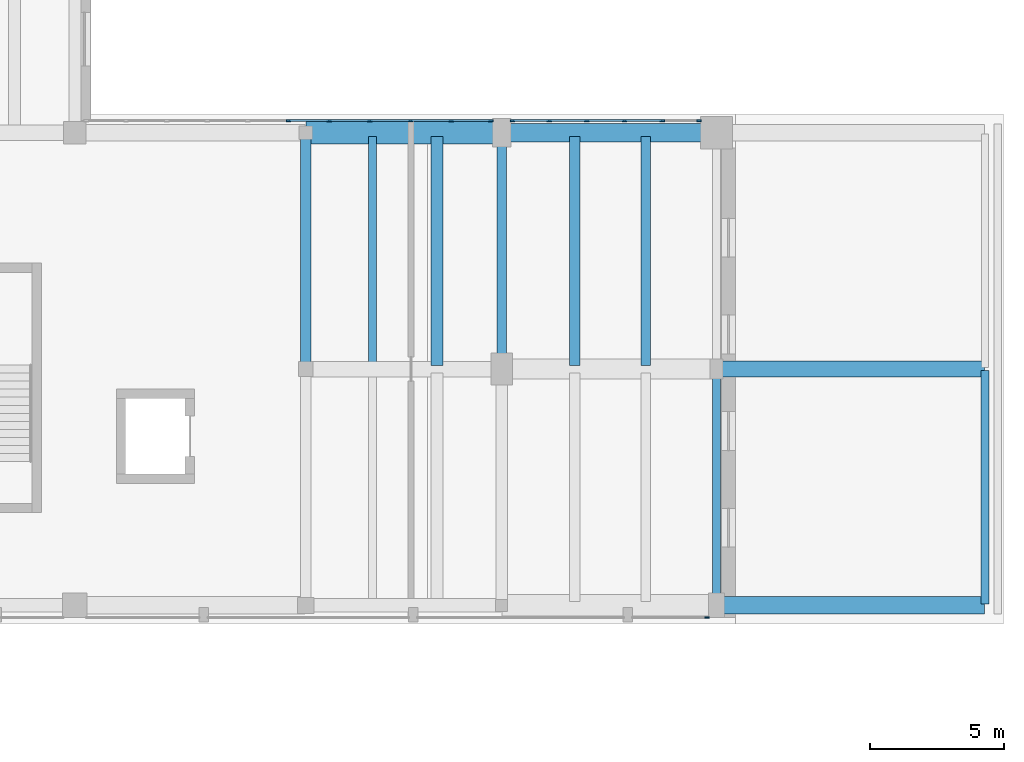
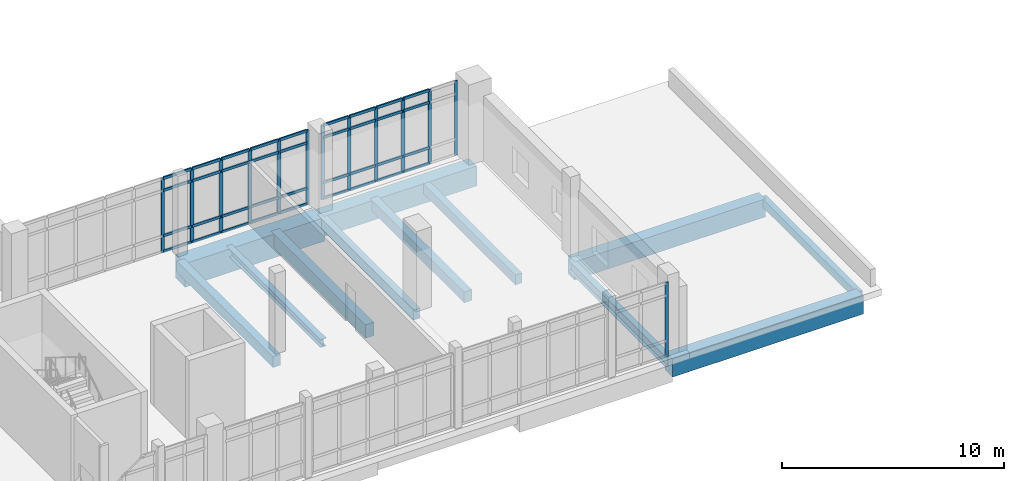
# One storey, part 44 of 89: 49 members, 12 beams, 3 elements without a shape of their own.
"""IFC4 building model written with IfcOpenShell, lengths in metres."""

from ifc_helpers import new_model, si_unit, direction, frame, origin, origin_2d, place, context, subcontext, project, spatial, rectangle, i_section, extrude, material, material_profile, profile_set, type_object, element, aggregate, save


model = new_model("IFC4")

# Units and contexts
model_context = context("Model", 3, precision=1e-05, world=origin(), true_north=direction((0.0, 1.0)))
body_context = subcontext(model_context, "Body", "Model", "MODEL_VIEW")
ifc_project = project(units=[si_unit("LENGTHUNIT", "METRE"), si_unit("AREAUNIT", "SQUARE_METRE"), si_unit("VOLUMEUNIT", "CUBIC_METRE"), si_unit("PLANEANGLEUNIT", "RADIAN"), si_unit("MASSUNIT", "GRAM", prefix="KILO")], contexts=[model_context])

# Site, building, storey
site_placement = place(None, origin())
site = spatial("IfcSite", under=ifc_project, at=site_placement, CompositionType="ELEMENT")
building_placement = place(site_placement, origin())
building = spatial("IfcBuilding", under=site, at=building_placement, Name="Soyqirgoq Riverine Aquarium", CompositionType="ELEMENT")
storey_placement = place(building_placement, frame((0.0, 0.0, 5.39990234375)))
storey = spatial("IfcBuildingStorey", under=building, at=storey_placement, Name="L02", CompositionType="ELEMENT", Elevation=5.39990234375)

# Beams
ifc_material_1 = material(Name="Concrete C40/50", Category="concrete")
ifc_material_profile_1 = material_profile(ifc_material_1, rectangle(XDim=0.39990234375, YDim=0.60009765625, at=origin_2d()), Name="RC 400x600")
ifc_profile_set_1 = profile_set([ifc_material_profile_1], Name="Concrete C40/50")
beam_type_1 = type_object("IfcBeamType", Name="Beam_RC_400x600", PredefinedType="JOIST", material=ifc_profile_set_1)
beam_1_placement = place(storey_placement, frame((138.0, 65.550048828125, -0.64990234375), z_axis=(0.0, 1.0, 0.0), x_axis=(-1.0, 0.0, 0.0)))
element("IfcBeam", 1, at=beam_1_placement, inside=storey, type_object=beam_type_1, Name="V7 L02 North-South Frame Beam 1322", PredefinedType="JOIST", context=body_context, shape_type="SweptSolid", body=[
    extrude(rectangle(XDim=0.39990234375, YDim=0.60009765625, at=origin_2d()), origin(), (0.0, 0.0, 1.0), 8.699951171875),
])
beam_2_placement = place(storey_placement, frame((148.02001953125, 65.639892578125, -0.64990234375), z_axis=(0.0, 1.0, 0.0), x_axis=(-1.0, 0.0, 0.0)))
element("IfcBeam", 2, at=beam_2_placement, inside=storey, type_object=beam_type_1, Name="V7 L02 Secondary Bay Joist 1347", PredefinedType="JOIST", context=body_context, shape_type="SweptSolid", body=[
    extrude(rectangle(XDim=0.39990234375, YDim=0.60009765625, at=origin_2d()), origin(), (0.0, 0.0, 1.0), 8.52001953125),
])
ifc_material_2 = material(Name="Concrete C40/50", Category="concrete")
ifc_material_profile_2 = material_profile(ifc_material_2, rectangle(XDim=0.449951171875, YDim=0.75, at=origin_2d()), Name="RC 450x750")
ifc_profile_set_2 = profile_set([ifc_material_profile_2], Name="Concrete C40/50")
beam_type_2 = type_object("IfcBeamType", Name="Beam_RC_450x750", PredefinedType="BEAM", material=ifc_profile_set_2)
beam_3_placement = place(storey_placement, frame((142.89111328125, 65.639892578125, -0.724853515625), z_axis=(0.0, 1.0, 0.0), x_axis=(-1.0, 0.0, 0.0)))
element("IfcBeam", 3, at=beam_3_placement, inside=storey, type_object=beam_type_2, Name="V7 L02 Secondary Bay Joist 1346", PredefinedType="BEAM", context=body_context, shape_type="SweptSolid", body=[
    extrude(rectangle(XDim=0.449951171875, YDim=0.75, at=origin_2d()), origin(), (0.0, 0.0, 1.0), 8.52001953125),
])

# Curtain wall, members
ifc_material_3 = material(Name="Anodised aluminium thermally broken gallery curtain wall", Category="aluminium")
curtain_wall_type = type_object("IfcCurtainWallType", Name="CW_Pavilion_Ribbon", PredefinedType="NOTDEFINED", material=ifc_material_3)
curtain_wall_1_placement = place(storey_placement, origin())
curtain_wall_1 = element("IfcCurtainWall", 4, at=curtain_wall_1_placement, inside=storey, type_object=curtain_wall_type, Name="V7 L02 Curtain Wall 123", PredefinedType="NOTDEFINED")
ifc_material_4 = material(Name="Anodised aluminium 6063-T6", Category="aluminium")
ifc_material_profile_3 = material_profile(ifc_material_4, rectangle(XDim=0.06494140625, YDim=0.179931640625, at=origin_2d()), Name="ALU-M 65x180")
ifc_profile_set_3 = profile_set([ifc_material_profile_3], Name="Anodised aluminium 6063-T6")
member_type_1 = type_object("IfcMemberType", Name="CWMullion_65x180", PredefinedType="MULLION", material=ifc_profile_set_3)
member_1_placement = place(storey_placement, frame((137.360107421875, 74.75, 0.0), z_axis=(0.0, 0.0, 1.0), x_axis=(0.0, 1.0, 0.0)))
member_1 = element("IfcMember", 5, at=member_1_placement, type_object=member_type_1, Name="CW-05 mullion 6", PredefinedType="MULLION", context=body_context, shape_type="SweptSolid", body=[
    extrude(rectangle(XDim=0.06494140625, YDim=0.179931640625, at=origin_2d()), origin(), (0.0, 0.0, 1.0), 4.10009765625),
])
member_2_placement = place(storey_placement, frame((138.8740234375, 74.75, 0.0), z_axis=(0.0, 0.0, 1.0), x_axis=(0.0, 1.0, 0.0)))
member_2 = element("IfcMember", 6, at=member_2_placement, type_object=member_type_1, Name="CW-05 mullion 7", PredefinedType="MULLION", context=body_context, shape_type="SweptSolid", body=[
    extrude(rectangle(XDim=0.06494140625, YDim=0.179931640625, at=origin_2d()), origin(), (0.0, 0.0, 1.0), 4.10009765625),
])
member_3_placement = place(storey_placement, frame((140.387939453125, 74.75, 0.0), z_axis=(0.0, 0.0, 1.0), x_axis=(0.0, 1.0, 0.0)))
member_3 = element("IfcMember", 7, at=member_3_placement, type_object=member_type_1, Name="CW-05 mullion 8", PredefinedType="MULLION", context=body_context, shape_type="SweptSolid", body=[
    extrude(rectangle(XDim=0.06494140625, YDim=0.179931640625, at=origin_2d()), origin(), (0.0, 0.0, 1.0), 4.10009765625),
])
member_4_placement = place(storey_placement, frame((141.902099609375, 74.75, 0.0), z_axis=(0.0, 0.0, 1.0), x_axis=(0.0, 1.0, 0.0)))
member_4 = element("IfcMember", 8, at=member_4_placement, type_object=member_type_1, Name="CW-05 mullion 9", PredefinedType="MULLION", context=body_context, shape_type="SweptSolid", body=[
    extrude(rectangle(XDim=0.06494140625, YDim=0.179931640625, at=origin_2d()), origin(), (0.0, 0.0, 1.0), 4.10009765625),
])
member_5_placement = place(storey_placement, frame((143.416015625, 74.75, 0.0), z_axis=(0.0, 0.0, 1.0), x_axis=(0.0, 1.0, 0.0)))
member_5 = element("IfcMember", 9, at=member_5_placement, type_object=member_type_1, Name="CW-05 mullion 10", PredefinedType="MULLION", context=body_context, shape_type="SweptSolid", body=[
    extrude(rectangle(XDim=0.06494140625, YDim=0.179931640625, at=origin_2d()), origin(), (0.0, 0.0, 1.0), 4.10009765625),
])
member_6_placement = place(storey_placement, frame((144.8974609375, 74.75, 0.0), z_axis=(0.0, 0.0, 1.0), x_axis=(0.0, 1.0, 0.0)))
member_6 = element("IfcMember", 10, at=member_6_placement, type_object=member_type_1, Name="CW-05 mullion 11", PredefinedType="MULLION", context=body_context, shape_type="SweptSolid", body=[
    extrude(rectangle(XDim=0.06494140625, YDim=0.179931640625, at=origin_2d()), origin(), (0.0, 0.0, 1.0), 4.10009765625),
])

curtain_wall_2_placement = place(storey_placement, origin())
curtain_wall_2 = element("IfcCurtainWall", 11, at=curtain_wall_2_placement, inside=storey, type_object=curtain_wall_type, Name="V7 L02 Curtain Wall 124", PredefinedType="NOTDEFINED")
member_7_placement = place(storey_placement, frame((145.702392578125, 74.75, 0.0), z_axis=(0.0, 0.0, 1.0), x_axis=(0.0, 1.0, 0.0)))
member_7 = element("IfcMember", 12, at=member_7_placement, type_object=member_type_1, Name="CW-05 mullion 1", PredefinedType="MULLION", context=body_context, shape_type="SweptSolid", body=[
    extrude(rectangle(XDim=0.06494140625, YDim=0.179931640625, at=origin_2d()), origin(), (0.0, 0.0, 1.0), 4.10009765625),
])
member_8_placement = place(storey_placement, frame((147.072021484375, 74.75, 0.0), z_axis=(0.0, 0.0, 1.0), x_axis=(0.0, 1.0, 0.0)))
member_8 = element("IfcMember", 13, at=member_8_placement, type_object=member_type_1, Name="CW-05 mullion 2", PredefinedType="MULLION", context=body_context, shape_type="SweptSolid", body=[
    extrude(rectangle(XDim=0.06494140625, YDim=0.179931640625, at=origin_2d()), origin(), (0.0, 0.0, 1.0), 4.10009765625),
])
member_9_placement = place(storey_placement, frame((148.47412109375, 74.75, 0.0), z_axis=(0.0, 0.0, 1.0), x_axis=(0.0, 1.0, 0.0)))
member_9 = element("IfcMember", 14, at=member_9_placement, type_object=member_type_1, Name="CW-05 mullion 3", PredefinedType="MULLION", context=body_context, shape_type="SweptSolid", body=[
    extrude(rectangle(XDim=0.06494140625, YDim=0.179931640625, at=origin_2d()), origin(), (0.0, 0.0, 1.0), 4.10009765625),
])
member_10_placement = place(storey_placement, frame((149.8759765625, 74.75, 0.0), z_axis=(0.0, 0.0, 1.0), x_axis=(0.0, 1.0, 0.0)))
member_10 = element("IfcMember", 15, at=member_10_placement, type_object=member_type_1, Name="CW-05 mullion 4", PredefinedType="MULLION", context=body_context, shape_type="SweptSolid", body=[
    extrude(rectangle(XDim=0.06494140625, YDim=0.179931640625, at=origin_2d()), origin(), (0.0, 0.0, 1.0), 4.10009765625),
])
member_11_placement = place(storey_placement, frame((151.278076171875, 74.75, 0.0), z_axis=(0.0, 0.0, 1.0), x_axis=(0.0, 1.0, 0.0)))
member_11 = element("IfcMember", 16, at=member_11_placement, type_object=member_type_1, Name="CW-05 mullion 5", PredefinedType="MULLION", context=body_context, shape_type="SweptSolid", body=[
    extrude(rectangle(XDim=0.06494140625, YDim=0.179931640625, at=origin_2d()), origin(), (0.0, 0.0, 1.0), 4.10009765625),
])
member_12_placement = place(storey_placement, frame((152.6474609375, 74.75, 0.0), z_axis=(0.0, 0.0, 1.0), x_axis=(0.0, 1.0, 0.0)))
member_12 = element("IfcMember", 17, at=member_12_placement, type_object=member_type_1, Name="CW-05 mullion 6", PredefinedType="MULLION", context=body_context, shape_type="SweptSolid", body=[
    extrude(rectangle(XDim=0.06494140625, YDim=0.179931640625, at=origin_2d()), origin(), (0.0, 0.0, 1.0), 4.10009765625),
])

# Curtain wall, member
curtain_wall_3_placement = place(storey_placement, origin())
curtain_wall_3 = element("IfcCurtainWall", 18, at=curtain_wall_3_placement, inside=storey, type_object=curtain_wall_type, Name="V7 L02 Curtain Wall 125", PredefinedType="NOTDEFINED")
member_13_placement = place(storey_placement, frame((152.947509765625, 56.25, 0.0), z_axis=(0.0, 0.0, 1.0), x_axis=(0.0, -1.0, 0.0)))
member_13 = element("IfcMember", 19, at=member_13_placement, type_object=member_type_1, Name="CW-05 mullion 1", PredefinedType="MULLION", context=body_context, shape_type="SweptSolid", body=[
    extrude(rectangle(XDim=0.06494140625, YDim=0.179931640625, at=origin_2d()), origin(), (0.0, 0.0, 1.0), 4.10009765625),
])
aggregate(curtain_wall_3, [member_13])

# Member
ifc_material_5 = material(Name="Anodised aluminium 6063-T6", Category="aluminium")
ifc_material_profile_4 = material_profile(ifc_material_5, rectangle(XDim=0.074951171875, YDim=0.14990234375, at=origin_2d()), Name="ALU-T 75x150")
ifc_profile_set_4 = profile_set([ifc_material_profile_4], Name="Anodised aluminium 6063-T6")
member_type_2 = type_object("IfcMemberType", Name="CWTransom_75x150", PredefinedType="USERDEFINED", material=ifc_profile_set_4)
member_14_placement = place(storey_placement, frame((137.392578125, 74.75, 0.03759765625), z_axis=(1.0, 0.0, 0.0), x_axis=(0.0, 1.0, 0.0)))
member_14 = element("IfcMember", 20, at=member_14_placement, type_object=member_type_2, Name="CW-05 transom 6.1", ObjectType="TRANSOM", PredefinedType="USERDEFINED", context=body_context, shape_type="SweptSolid", body=[
    extrude(rectangle(XDim=0.074951171875, YDim=0.14990234375, at=origin_2d()), origin(), (0.0, 0.0, 1.0), 1.448974609375),
])

member_15_placement = place(storey_placement, frame((137.392578125, 74.75, 0.900146484375), z_axis=(1.0, 0.0, 0.0), x_axis=(0.0, 1.0, 0.0)))
member_15 = element("IfcMember", 21, at=member_15_placement, type_object=member_type_2, Name="CW-05 transom 6.2", ObjectType="TRANSOM", PredefinedType="USERDEFINED", context=body_context, shape_type="SweptSolid", body=[
    extrude(rectangle(XDim=0.074951171875, YDim=0.14990234375, at=origin_2d()), origin(), (0.0, 0.0, 1.0), 1.448974609375),
])

member_16_placement = place(storey_placement, frame((137.392578125, 74.75, 3.400146484375), z_axis=(1.0, 0.0, 0.0), x_axis=(0.0, 1.0, 0.0)))
member_16 = element("IfcMember", 22, at=member_16_placement, type_object=member_type_2, Name="CW-05 transom 6.3", ObjectType="TRANSOM", PredefinedType="USERDEFINED", context=body_context, shape_type="SweptSolid", body=[
    extrude(rectangle(XDim=0.074951171875, YDim=0.14990234375, at=origin_2d()), origin(), (0.0, 0.0, 1.0), 1.448974609375),
])

member_17_placement = place(storey_placement, frame((137.392578125, 74.75, 4.0625), z_axis=(1.0, 0.0, 0.0), x_axis=(0.0, 1.0, 0.0)))
member_17 = element("IfcMember", 23, at=member_17_placement, type_object=member_type_2, Name="CW-05 transom 6.4", ObjectType="TRANSOM", PredefinedType="USERDEFINED", context=body_context, shape_type="SweptSolid", body=[
    extrude(rectangle(XDim=0.074951171875, YDim=0.14990234375, at=origin_2d()), origin(), (0.0, 0.0, 1.0), 1.448974609375),
])

member_18_placement = place(storey_placement, frame((138.906494140625, 74.75, 0.03759765625), z_axis=(1.0, 0.0, 0.0), x_axis=(0.0, 1.0, 0.0)))
member_18 = element("IfcMember", 24, at=member_18_placement, type_object=member_type_2, Name="CW-05 transom 7.1", ObjectType="TRANSOM", PredefinedType="USERDEFINED", context=body_context, shape_type="SweptSolid", body=[
    extrude(rectangle(XDim=0.074951171875, YDim=0.14990234375, at=origin_2d()), origin(), (0.0, 0.0, 1.0), 1.448974609375),
])

member_19_placement = place(storey_placement, frame((138.906494140625, 74.75, 0.900146484375), z_axis=(1.0, 0.0, 0.0), x_axis=(0.0, 1.0, 0.0)))
member_19 = element("IfcMember", 25, at=member_19_placement, type_object=member_type_2, Name="CW-05 transom 7.2", ObjectType="TRANSOM", PredefinedType="USERDEFINED", context=body_context, shape_type="SweptSolid", body=[
    extrude(rectangle(XDim=0.074951171875, YDim=0.14990234375, at=origin_2d()), origin(), (0.0, 0.0, 1.0), 1.448974609375),
])

member_20_placement = place(storey_placement, frame((138.906494140625, 74.75, 3.400146484375), z_axis=(1.0, 0.0, 0.0), x_axis=(0.0, 1.0, 0.0)))
member_20 = element("IfcMember", 26, at=member_20_placement, type_object=member_type_2, Name="CW-05 transom 7.3", ObjectType="TRANSOM", PredefinedType="USERDEFINED", context=body_context, shape_type="SweptSolid", body=[
    extrude(rectangle(XDim=0.074951171875, YDim=0.14990234375, at=origin_2d()), origin(), (0.0, 0.0, 1.0), 1.448974609375),
])

member_21_placement = place(storey_placement, frame((138.906494140625, 74.75, 4.0625), z_axis=(1.0, 0.0, 0.0), x_axis=(0.0, 1.0, 0.0)))
member_21 = element("IfcMember", 27, at=member_21_placement, type_object=member_type_2, Name="CW-05 transom 7.4", ObjectType="TRANSOM", PredefinedType="USERDEFINED", context=body_context, shape_type="SweptSolid", body=[
    extrude(rectangle(XDim=0.074951171875, YDim=0.14990234375, at=origin_2d()), origin(), (0.0, 0.0, 1.0), 1.448974609375),
])

member_22_placement = place(storey_placement, frame((140.42041015625, 74.75, 0.03759765625), z_axis=(1.0, 0.0, 0.0), x_axis=(0.0, 1.0, 0.0)))
member_22 = element("IfcMember", 28, at=member_22_placement, type_object=member_type_2, Name="CW-05 transom 8.1", ObjectType="TRANSOM", PredefinedType="USERDEFINED", context=body_context, shape_type="SweptSolid", body=[
    extrude(rectangle(XDim=0.074951171875, YDim=0.14990234375, at=origin_2d()), origin(), (0.0, 0.0, 1.0), 1.448974609375),
])

member_23_placement = place(storey_placement, frame((140.42041015625, 74.75, 0.900146484375), z_axis=(1.0, 0.0, 0.0), x_axis=(0.0, 1.0, 0.0)))
member_23 = element("IfcMember", 29, at=member_23_placement, type_object=member_type_2, Name="CW-05 transom 8.2", ObjectType="TRANSOM", PredefinedType="USERDEFINED", context=body_context, shape_type="SweptSolid", body=[
    extrude(rectangle(XDim=0.074951171875, YDim=0.14990234375, at=origin_2d()), origin(), (0.0, 0.0, 1.0), 1.448974609375),
])

member_24_placement = place(storey_placement, frame((140.42041015625, 74.75, 3.400146484375), z_axis=(1.0, 0.0, 0.0), x_axis=(0.0, 1.0, 0.0)))
member_24 = element("IfcMember", 30, at=member_24_placement, type_object=member_type_2, Name="CW-05 transom 8.3", ObjectType="TRANSOM", PredefinedType="USERDEFINED", context=body_context, shape_type="SweptSolid", body=[
    extrude(rectangle(XDim=0.074951171875, YDim=0.14990234375, at=origin_2d()), origin(), (0.0, 0.0, 1.0), 1.448974609375),
])

member_25_placement = place(storey_placement, frame((140.42041015625, 74.75, 4.0625), z_axis=(1.0, 0.0, 0.0), x_axis=(0.0, 1.0, 0.0)))
member_25 = element("IfcMember", 31, at=member_25_placement, type_object=member_type_2, Name="CW-05 transom 8.4", ObjectType="TRANSOM", PredefinedType="USERDEFINED", context=body_context, shape_type="SweptSolid", body=[
    extrude(rectangle(XDim=0.074951171875, YDim=0.14990234375, at=origin_2d()), origin(), (0.0, 0.0, 1.0), 1.448974609375),
])

member_26_placement = place(storey_placement, frame((141.9345703125, 74.75, 0.03759765625), z_axis=(1.0, 0.0, 0.0), x_axis=(0.0, 1.0, 0.0)))
member_26 = element("IfcMember", 32, at=member_26_placement, type_object=member_type_2, Name="CW-05 transom 9.1", ObjectType="TRANSOM", PredefinedType="USERDEFINED", context=body_context, shape_type="SweptSolid", body=[
    extrude(rectangle(XDim=0.074951171875, YDim=0.14990234375, at=origin_2d()), origin(), (0.0, 0.0, 1.0), 1.448974609375),
])

member_27_placement = place(storey_placement, frame((141.9345703125, 74.75, 0.900146484375), z_axis=(1.0, 0.0, 0.0), x_axis=(0.0, 1.0, 0.0)))
member_27 = element("IfcMember", 33, at=member_27_placement, type_object=member_type_2, Name="CW-05 transom 9.2", ObjectType="TRANSOM", PredefinedType="USERDEFINED", context=body_context, shape_type="SweptSolid", body=[
    extrude(rectangle(XDim=0.074951171875, YDim=0.14990234375, at=origin_2d()), origin(), (0.0, 0.0, 1.0), 1.448974609375),
])

member_28_placement = place(storey_placement, frame((141.9345703125, 74.75, 3.400146484375), z_axis=(1.0, 0.0, 0.0), x_axis=(0.0, 1.0, 0.0)))
member_28 = element("IfcMember", 34, at=member_28_placement, type_object=member_type_2, Name="CW-05 transom 9.3", ObjectType="TRANSOM", PredefinedType="USERDEFINED", context=body_context, shape_type="SweptSolid", body=[
    extrude(rectangle(XDim=0.074951171875, YDim=0.14990234375, at=origin_2d()), origin(), (0.0, 0.0, 1.0), 1.448974609375),
])

member_29_placement = place(storey_placement, frame((141.9345703125, 74.75, 4.0625), z_axis=(1.0, 0.0, 0.0), x_axis=(0.0, 1.0, 0.0)))
member_29 = element("IfcMember", 35, at=member_29_placement, type_object=member_type_2, Name="CW-05 transom 9.4", ObjectType="TRANSOM", PredefinedType="USERDEFINED", context=body_context, shape_type="SweptSolid", body=[
    extrude(rectangle(XDim=0.074951171875, YDim=0.14990234375, at=origin_2d()), origin(), (0.0, 0.0, 1.0), 1.448974609375),
])

member_30_placement = place(storey_placement, frame((143.448486328125, 74.75, 0.03759765625), z_axis=(1.0, 0.0, 0.0), x_axis=(0.0, 1.0, 0.0)))
member_30 = element("IfcMember", 36, at=member_30_placement, type_object=member_type_2, Name="CW-05 transom 10.1", ObjectType="TRANSOM", PredefinedType="USERDEFINED", context=body_context, shape_type="SweptSolid", body=[
    extrude(rectangle(XDim=0.074951171875, YDim=0.14990234375, at=origin_2d()), origin(), (0.0, 0.0, 1.0), 1.41650390625),
])

member_31_placement = place(storey_placement, frame((143.448486328125, 74.75, 0.900146484375), z_axis=(1.0, 0.0, 0.0), x_axis=(0.0, 1.0, 0.0)))
member_31 = element("IfcMember", 37, at=member_31_placement, type_object=member_type_2, Name="CW-05 transom 10.2", ObjectType="TRANSOM", PredefinedType="USERDEFINED", context=body_context, shape_type="SweptSolid", body=[
    extrude(rectangle(XDim=0.074951171875, YDim=0.14990234375, at=origin_2d()), origin(), (0.0, 0.0, 1.0), 1.41650390625),
])

member_32_placement = place(storey_placement, frame((143.448486328125, 74.75, 3.400146484375), z_axis=(1.0, 0.0, 0.0), x_axis=(0.0, 1.0, 0.0)))
member_32 = element("IfcMember", 38, at=member_32_placement, type_object=member_type_2, Name="CW-05 transom 10.3", ObjectType="TRANSOM", PredefinedType="USERDEFINED", context=body_context, shape_type="SweptSolid", body=[
    extrude(rectangle(XDim=0.074951171875, YDim=0.14990234375, at=origin_2d()), origin(), (0.0, 0.0, 1.0), 1.41650390625),
])

member_33_placement = place(storey_placement, frame((143.448486328125, 74.75, 4.0625), z_axis=(1.0, 0.0, 0.0), x_axis=(0.0, 1.0, 0.0)))
member_33 = element("IfcMember", 39, at=member_33_placement, type_object=member_type_2, Name="CW-05 transom 10.4", ObjectType="TRANSOM", PredefinedType="USERDEFINED", context=body_context, shape_type="SweptSolid", body=[
    extrude(rectangle(XDim=0.074951171875, YDim=0.14990234375, at=origin_2d()), origin(), (0.0, 0.0, 1.0), 1.41650390625),
])

aggregate(curtain_wall_1, [member_1, member_2, member_3, member_4, member_5, member_6, member_14, member_15, member_16, member_17, member_18, member_19, member_20, member_21, member_22, member_23, member_24, member_25, member_26, member_27, member_28, member_29, member_30, member_31, member_32, member_33])

member_34_placement = place(storey_placement, frame((145.735107421875, 74.75, 0.03759765625), z_axis=(1.0, 0.0, 0.0), x_axis=(0.0, 1.0, 0.0)))
member_34 = element("IfcMember", 40, at=member_34_placement, type_object=member_type_2, Name="CW-05 transom 1.1", ObjectType="TRANSOM", PredefinedType="USERDEFINED", context=body_context, shape_type="SweptSolid", body=[
    extrude(rectangle(XDim=0.074951171875, YDim=0.14990234375, at=origin_2d()), origin(), (0.0, 0.0, 1.0), 1.304443359375),
])

member_35_placement = place(storey_placement, frame((145.735107421875, 74.75, 0.900146484375), z_axis=(1.0, 0.0, 0.0), x_axis=(0.0, 1.0, 0.0)))
member_35 = element("IfcMember", 41, at=member_35_placement, type_object=member_type_2, Name="CW-05 transom 1.2", ObjectType="TRANSOM", PredefinedType="USERDEFINED", context=body_context, shape_type="SweptSolid", body=[
    extrude(rectangle(XDim=0.074951171875, YDim=0.14990234375, at=origin_2d()), origin(), (0.0, 0.0, 1.0), 1.304443359375),
])

member_36_placement = place(storey_placement, frame((145.735107421875, 74.75, 3.400146484375), z_axis=(1.0, 0.0, 0.0), x_axis=(0.0, 1.0, 0.0)))
member_36 = element("IfcMember", 42, at=member_36_placement, type_object=member_type_2, Name="CW-05 transom 1.3", ObjectType="TRANSOM", PredefinedType="USERDEFINED", context=body_context, shape_type="SweptSolid", body=[
    extrude(rectangle(XDim=0.074951171875, YDim=0.14990234375, at=origin_2d()), origin(), (0.0, 0.0, 1.0), 1.304443359375),
])

member_37_placement = place(storey_placement, frame((145.735107421875, 74.75, 4.0625), z_axis=(1.0, 0.0, 0.0), x_axis=(0.0, 1.0, 0.0)))
member_37 = element("IfcMember", 43, at=member_37_placement, type_object=member_type_2, Name="CW-05 transom 1.4", ObjectType="TRANSOM", PredefinedType="USERDEFINED", context=body_context, shape_type="SweptSolid", body=[
    extrude(rectangle(XDim=0.074951171875, YDim=0.14990234375, at=origin_2d()), origin(), (0.0, 0.0, 1.0), 1.304443359375),
])

member_38_placement = place(storey_placement, frame((147.1044921875, 74.75, 0.03759765625), z_axis=(1.0, 0.0, 0.0), x_axis=(0.0, 1.0, 0.0)))
member_38 = element("IfcMember", 44, at=member_38_placement, type_object=member_type_2, Name="CW-05 transom 2.1", ObjectType="TRANSOM", PredefinedType="USERDEFINED", context=body_context, shape_type="SweptSolid", body=[
    extrude(rectangle(XDim=0.074951171875, YDim=0.14990234375, at=origin_2d()), origin(), (0.0, 0.0, 1.0), 1.3369140625),
])

member_39_placement = place(storey_placement, frame((147.1044921875, 74.75, 0.900146484375), z_axis=(1.0, 0.0, 0.0), x_axis=(0.0, 1.0, 0.0)))
member_39 = element("IfcMember", 45, at=member_39_placement, type_object=member_type_2, Name="CW-05 transom 2.2", ObjectType="TRANSOM", PredefinedType="USERDEFINED", context=body_context, shape_type="SweptSolid", body=[
    extrude(rectangle(XDim=0.074951171875, YDim=0.14990234375, at=origin_2d()), origin(), (0.0, 0.0, 1.0), 1.3369140625),
])

member_40_placement = place(storey_placement, frame((147.1044921875, 74.75, 3.400146484375), z_axis=(1.0, 0.0, 0.0), x_axis=(0.0, 1.0, 0.0)))
member_40 = element("IfcMember", 46, at=member_40_placement, type_object=member_type_2, Name="CW-05 transom 2.3", ObjectType="TRANSOM", PredefinedType="USERDEFINED", context=body_context, shape_type="SweptSolid", body=[
    extrude(rectangle(XDim=0.074951171875, YDim=0.14990234375, at=origin_2d()), origin(), (0.0, 0.0, 1.0), 1.3369140625),
])

member_41_placement = place(storey_placement, frame((147.1044921875, 74.75, 4.0625), z_axis=(1.0, 0.0, 0.0), x_axis=(0.0, 1.0, 0.0)))
member_41 = element("IfcMember", 47, at=member_41_placement, type_object=member_type_2, Name="CW-05 transom 2.4", ObjectType="TRANSOM", PredefinedType="USERDEFINED", context=body_context, shape_type="SweptSolid", body=[
    extrude(rectangle(XDim=0.074951171875, YDim=0.14990234375, at=origin_2d()), origin(), (0.0, 0.0, 1.0), 1.3369140625),
])

member_42_placement = place(storey_placement, frame((148.506591796875, 74.75, 0.03759765625), z_axis=(1.0, 0.0, 0.0), x_axis=(0.0, 1.0, 0.0)))
member_42 = element("IfcMember", 48, at=member_42_placement, type_object=member_type_2, Name="CW-05 transom 3.1", ObjectType="TRANSOM", PredefinedType="USERDEFINED", context=body_context, shape_type="SweptSolid", body=[
    extrude(rectangle(XDim=0.074951171875, YDim=0.14990234375, at=origin_2d()), origin(), (0.0, 0.0, 1.0), 1.3369140625),
])

member_43_placement = place(storey_placement, frame((148.506591796875, 74.75, 0.900146484375), z_axis=(1.0, 0.0, 0.0), x_axis=(0.0, 1.0, 0.0)))
member_43 = element("IfcMember", 49, at=member_43_placement, type_object=member_type_2, Name="CW-05 transom 3.2", ObjectType="TRANSOM", PredefinedType="USERDEFINED", context=body_context, shape_type="SweptSolid", body=[
    extrude(rectangle(XDim=0.074951171875, YDim=0.14990234375, at=origin_2d()), origin(), (0.0, 0.0, 1.0), 1.3369140625),
])

member_44_placement = place(storey_placement, frame((148.506591796875, 74.75, 3.400146484375), z_axis=(1.0, 0.0, 0.0), x_axis=(0.0, 1.0, 0.0)))
member_44 = element("IfcMember", 50, at=member_44_placement, type_object=member_type_2, Name="CW-05 transom 3.3", ObjectType="TRANSOM", PredefinedType="USERDEFINED", context=body_context, shape_type="SweptSolid", body=[
    extrude(rectangle(XDim=0.074951171875, YDim=0.14990234375, at=origin_2d()), origin(), (0.0, 0.0, 1.0), 1.3369140625),
])

member_45_placement = place(storey_placement, frame((148.506591796875, 74.75, 4.0625), z_axis=(1.0, 0.0, 0.0), x_axis=(0.0, 1.0, 0.0)))
member_45 = element("IfcMember", 51, at=member_45_placement, type_object=member_type_2, Name="CW-05 transom 3.4", ObjectType="TRANSOM", PredefinedType="USERDEFINED", context=body_context, shape_type="SweptSolid", body=[
    extrude(rectangle(XDim=0.074951171875, YDim=0.14990234375, at=origin_2d()), origin(), (0.0, 0.0, 1.0), 1.3369140625),
])

member_46_placement = place(storey_placement, frame((149.908447265625, 74.75, 0.03759765625), z_axis=(1.0, 0.0, 0.0), x_axis=(0.0, 1.0, 0.0)))
member_46 = element("IfcMember", 52, at=member_46_placement, type_object=member_type_2, Name="CW-05 transom 4.1", ObjectType="TRANSOM", PredefinedType="USERDEFINED", context=body_context, shape_type="SweptSolid", body=[
    extrude(rectangle(XDim=0.074951171875, YDim=0.14990234375, at=origin_2d()), origin(), (0.0, 0.0, 1.0), 1.337158203125),
])

member_47_placement = place(storey_placement, frame((149.908447265625, 74.75, 0.900146484375), z_axis=(1.0, 0.0, 0.0), x_axis=(0.0, 1.0, 0.0)))
member_47 = element("IfcMember", 53, at=member_47_placement, type_object=member_type_2, Name="CW-05 transom 4.2", ObjectType="TRANSOM", PredefinedType="USERDEFINED", context=body_context, shape_type="SweptSolid", body=[
    extrude(rectangle(XDim=0.074951171875, YDim=0.14990234375, at=origin_2d()), origin(), (0.0, 0.0, 1.0), 1.337158203125),
])

member_48_placement = place(storey_placement, frame((149.908447265625, 74.75, 3.400146484375), z_axis=(1.0, 0.0, 0.0), x_axis=(0.0, 1.0, 0.0)))
member_48 = element("IfcMember", 54, at=member_48_placement, type_object=member_type_2, Name="CW-05 transom 4.3", ObjectType="TRANSOM", PredefinedType="USERDEFINED", context=body_context, shape_type="SweptSolid", body=[
    extrude(rectangle(XDim=0.074951171875, YDim=0.14990234375, at=origin_2d()), origin(), (0.0, 0.0, 1.0), 1.337158203125),
])

member_49_placement = place(storey_placement, frame((149.908447265625, 74.75, 4.0625), z_axis=(1.0, 0.0, 0.0), x_axis=(0.0, 1.0, 0.0)))
member_49 = element("IfcMember", 55, at=member_49_placement, type_object=member_type_2, Name="CW-05 transom 4.4", ObjectType="TRANSOM", PredefinedType="USERDEFINED", context=body_context, shape_type="SweptSolid", body=[
    extrude(rectangle(XDim=0.074951171875, YDim=0.14990234375, at=origin_2d()), origin(), (0.0, 0.0, 1.0), 1.337158203125),
])

aggregate(curtain_wall_2, [member_7, member_8, member_9, member_10, member_11, member_12, member_34, member_35, member_36, member_37, member_38, member_39, member_40, member_41, member_42, member_43, member_44, member_45, member_46, member_47, member_48, member_49])

# Beams
ifc_material_6 = material(Name="Concrete C40/50", Category="concrete")
ifc_material_profile_5 = material_profile(ifc_material_6, rectangle(XDim=0.60009765625, YDim=1.0, at=origin_2d()), Name="RC 600x1000")
ifc_profile_set_5 = profile_set([ifc_material_profile_5], Name="Concrete C40/50")
beam_type_3 = type_object("IfcBeamType", Name="Girder_RC_600x1000", PredefinedType="BEAM", material=ifc_profile_set_5)
beam_4_placement = place(storey_placement, frame((153.320068359375, 65.5, -0.849853515625), z_axis=(1.0, 0.0, 0.0), x_axis=(0.0, 1.0, 0.0)))
element("IfcBeam", 56, at=beam_4_placement, inside=storey, type_object=beam_type_3, Name="V7 L02 East-West Frame Girder 1333", PredefinedType="BEAM", context=body_context, shape_type="SweptSolid", body=[
    extrude(rectangle(XDim=0.60009765625, YDim=1.0, at=origin_2d()), origin(), (0.0, 0.0, 1.0), 9.9599609375),
])
ifc_material_7 = material(Name="Concrete C40/50", Category="concrete")
ifc_material_profile_6 = material_profile(ifc_material_7, rectangle(XDim=0.64990234375, YDim=1.0, at=origin_2d()), Name="RC 650x1000")
ifc_profile_set_6 = profile_set([ifc_material_profile_6], Name="Concrete C40/50")
beam_type_4 = type_object("IfcBeamType", Name="Girder_RC_650x1000", PredefinedType="BEAM", material=ifc_profile_set_6)
beam_5_placement = place(storey_placement, frame((153.320068359375, 56.699951171875, -0.849853515625), z_axis=(1.0, 0.0, 0.0), x_axis=(0.0, 1.0, 0.0)))
element("IfcBeam", 57, at=beam_5_placement, inside=storey, type_object=beam_type_4, Name="V7 L02 East-West Frame Girder 1331", PredefinedType="BEAM", context=body_context, shape_type="SweptSolid", body=[
    extrude(rectangle(XDim=0.64990234375, YDim=1.0, at=origin_2d()), origin(), (0.0, 0.0, 1.0), 9.9599609375),
])
ifc_material_8 = material(Name="Concrete C40/50", Category="concrete")
ifc_material_profile_7 = material_profile(ifc_material_8, rectangle(XDim=0.699951171875, YDim=1.10009765625, at=origin_2d()), Name="RC 700x1100")
ifc_profile_set_7 = profile_set([ifc_material_profile_7], Name="Concrete C40/50")
beam_type_5 = type_object("IfcBeamType", Name="Girder_RC_700x1100", PredefinedType="BEAM", material=ifc_profile_set_7)
beam_6_placement = place(storey_placement, frame((145.320068359375, 74.300048828125, -0.89990234375), z_axis=(1.0, 0.0, 0.0), x_axis=(0.0, 1.0, 0.0)))
element("IfcBeam", 58, at=beam_6_placement, inside=storey, type_object=beam_type_5, Name="V7 L02 East-West Frame Girder 1329", PredefinedType="BEAM", context=body_context, shape_type="SweptSolid", body=[
    extrude(rectangle(XDim=0.699951171875, YDim=1.10009765625, at=origin_2d()), origin(), (0.0, 0.0, 1.0), 7.9599609375),
])
ifc_material_9 = material(Name="Concrete C40/50", Category="concrete")
ifc_material_profile_8 = material_profile(ifc_material_9, rectangle(XDim=0.85009765625, YDim=1.300048828125, at=origin_2d()), Name="RC 850x1300")
ifc_profile_set_8 = profile_set([ifc_material_profile_8], Name="Concrete C40/50")
beam_type_6 = type_object("IfcBeamType", Name="Girder_RC_850x1300", PredefinedType="BEAM", material=ifc_profile_set_8)
beam_7_placement = place(storey_placement, frame((138.02001953125, 74.300048828125, -1.0), z_axis=(1.0, 0.0, 0.0), x_axis=(0.0, 1.0, 0.0)))
element("IfcBeam", 59, at=beam_7_placement, inside=storey, type_object=beam_type_6, Name="V7 L02 East-West Frame Girder 1324", PredefinedType="BEAM", context=body_context, shape_type="SweptSolid", body=[
    extrude(rectangle(XDim=0.85009765625, YDim=1.300048828125, at=origin_2d()), origin(), (0.0, 0.0, 1.0), 7.260009765625),
])
ifc_material_10 = material(Name="Concrete C40/50", Category="concrete")
ifc_material_profile_9 = material_profile(ifc_material_10, rectangle(XDim=0.300048828125, YDim=0.449951171875, at=origin_2d()), Name="RC 300x450")
ifc_profile_set_9 = profile_set([ifc_material_profile_9], Name="Concrete C40/50")
beam_type_7 = type_object("IfcBeamType", Name="Lintel_RC_300x450", PredefinedType="LINTEL", material=ifc_profile_set_9)
beam_8_placement = place(storey_placement, frame((163.300048828125, 56.75, -0.574951171875), z_axis=(0.0, 1.0, 0.0), x_axis=(-1.0, 0.0, 0.0)))
element("IfcBeam", 60, at=beam_8_placement, inside=storey, type_object=beam_type_7, Name="V7 L02 North-South Frame Beam 1335", PredefinedType="LINTEL", context=body_context, shape_type="SweptSolid", body=[
    extrude(rectangle(XDim=0.300048828125, YDim=0.449951171875, at=origin_2d()), origin(), (0.0, 0.0, 1.0), 8.699951171875),
])
ifc_material_11 = material(Name="Structural steel S355", Category="steel")
ifc_material_profile_10 = material_profile(ifc_material_11, i_section(OverallWidth=0.300048828125, OverallDepth=0.43994140625, WebThickness=0.011474609375, FlangeThickness=0.02099609375, FilletRadius=0.027099609375, at=origin_2d()), Name="HEA 450")
ifc_profile_set_10 = profile_set([ifc_material_profile_10], Name="Structural steel S355")
beam_type_8 = type_object("IfcBeamType", Name="SteelBeam_HEA450", PredefinedType="BEAM", material=ifc_profile_set_10)
beam_9_placement = place(storey_placement, frame((140.48193359375, 65.639892578125, -0.56982421875), z_axis=(0.0, 1.0, 0.0), x_axis=(-1.0, 0.0, 0.0)))
element("IfcBeam", 61, at=beam_9_placement, inside=storey, type_object=beam_type_8, Name="V7 L02 Secondary Bay Joist 1345", PredefinedType="BEAM", context=body_context, shape_type="SweptSolid", body=[
    extrude(i_section(OverallWidth=0.300048828125, OverallDepth=0.43994140625, WebThickness=0.011474609375, FlangeThickness=0.02099609375, FilletRadius=0.027099609375, at=origin_2d()), origin(), (0.0, 0.0, 1.0), 8.52001953125),
])
ifc_material_12 = material(Name="Structural steel S355", Category="steel")
ifc_material_profile_11 = material_profile(ifc_material_12, i_section(OverallWidth=0.300048828125, OverallDepth=0.590087890625, WebThickness=0.012939453125, FlangeThickness=0.02490234375, FilletRadius=0.027099609375, at=origin_2d()), Name="HEA 600")
ifc_profile_set_11 = profile_set([ifc_material_profile_11], Name="Structural steel S355")
beam_type_9 = type_object("IfcBeamType", Name="SteelBeam_HEA600", PredefinedType="BEAM", material=ifc_profile_set_11)
beam_10_placement = place(storey_placement, frame((153.300048828125, 56.75, -0.64501953125), z_axis=(0.0, 1.0, 0.0), x_axis=(-1.0, 0.0, 0.0)))
element("IfcBeam", 62, at=beam_10_placement, inside=storey, type_object=beam_type_9, Name="V7 L02 North-South Frame Beam 1330", PredefinedType="BEAM", context=body_context, shape_type="SweptSolid", body=[
    extrude(i_section(OverallWidth=0.300048828125, OverallDepth=0.590087890625, WebThickness=0.012939453125, FlangeThickness=0.02490234375, FilletRadius=0.027099609375, at=origin_2d()), origin(), (0.0, 0.0, 1.0), 8.699951171875),
])
ifc_material_13 = material(Name="Concrete C40/50", Category="concrete")
ifc_material_profile_12 = material_profile(ifc_material_13, rectangle(XDim=0.35009765625, YDim=0.550048828125, at=origin_2d()), Name="RC 350x550")
ifc_profile_set_12 = profile_set([ifc_material_profile_12], Name="Concrete C40/50")
beam_type_10 = type_object("IfcBeamType", Name="TBeam_RC_350x550", PredefinedType="T_BEAM", material=ifc_profile_set_12)
beam_11_placement = place(storey_placement, frame((145.300048828125, 65.550048828125, -0.625), z_axis=(0.0, 1.0, 0.0), x_axis=(-1.0, 0.0, 0.0)))
element("IfcBeam", 63, at=beam_11_placement, inside=storey, type_object=beam_type_10, Name="V7 L02 North-South Frame Beam 1327", PredefinedType="T_BEAM", context=body_context, shape_type="SweptSolid", body=[
    extrude(rectangle(XDim=0.35009765625, YDim=0.550048828125, at=origin_2d()), origin(), (0.0, 0.0, 1.0), 8.699951171875),
])
beam_12_placement = place(storey_placement, frame((150.659912109375, 65.639892578125, -0.625), z_axis=(0.0, 1.0, 0.0), x_axis=(-1.0, 0.0, 0.0)))
element("IfcBeam", 64, at=beam_12_placement, inside=storey, type_object=beam_type_10, Name="V7 L02 Secondary Bay Joist 1348", PredefinedType="T_BEAM", context=body_context, shape_type="SweptSolid", body=[
    extrude(rectangle(XDim=0.35009765625, YDim=0.550048828125, at=origin_2d()), origin(), (0.0, 0.0, 1.0), 8.52001953125),
])

save(model, "model.ifc")
